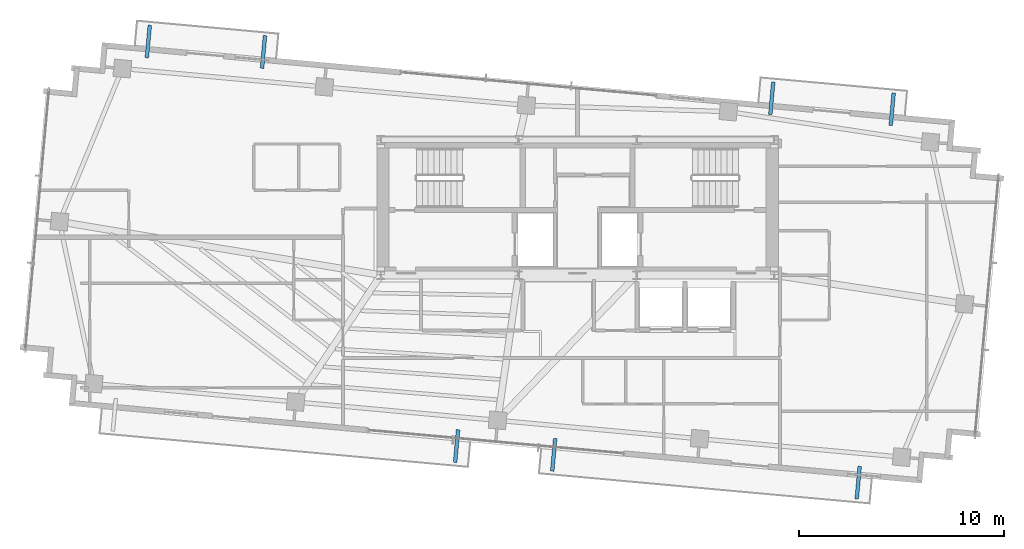
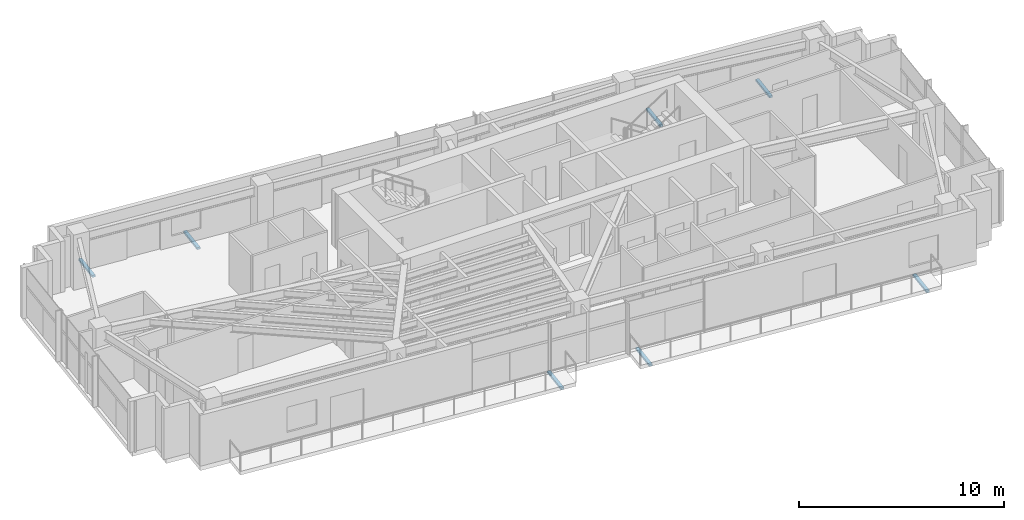
# One storey, part 19 of 22: 7 discrete accessories.
"""IFC4 building model written with IfcOpenShell, lengths in metres."""

from ifc_helpers import new_model, si_unit, direction, frame, origin, origin_2d, place, context, subcontext, project, spatial, rectangle, extrude, source, transform, mapped, material, type_object, type_shapes, element, save


model = new_model("IFC4")

# Units and contexts
model_context = context("Model", 3, precision=1e-05, world=origin(), true_north=direction((0.0, 1.0)))
body_context = subcontext(model_context, "Body", "Model", "MODEL_VIEW")
ifc_project = project(units=[si_unit("LENGTHUNIT", "METRE"), si_unit("AREAUNIT", "SQUARE_METRE"), si_unit("VOLUMEUNIT", "CUBIC_METRE"), si_unit("PLANEANGLEUNIT", "RADIAN"), si_unit("MASSUNIT", "GRAM", prefix="KILO")], contexts=[model_context])

# Site, building, storey
site_placement = place(None, origin())
site = spatial("IfcSite", under=ifc_project, at=site_placement, CompositionType="ELEMENT")
building_placement = place(site_placement, origin())
building = spatial("IfcBuilding", under=site, at=building_placement, Name="Astriad Promenade Condominiums", CompositionType="ELEMENT")
storey_placement = place(building_placement, frame((0.0, 0.0, 252.89990234375)))
storey = spatial("IfcBuildingStorey", under=building, at=storey_placement, Name="L73", CompositionType="ELEMENT", Elevation=252.89990234375)

# Discrete accessories
ifc_material = material(Name="Steel ASTM A572 Grade 50", Category="steel")
discrete_accessory_type = type_object("IfcDiscreteAccessoryType", Name="STEEL BALCONY OUTRIGGER BRACKET", PredefinedType="BRACKET", material=ifc_material)
shared_shape = source(origin(), body_context, "Body", "SweptSolid", [
    extrude(rectangle(XDim=1.60009765625, YDim=0.179931640625, at=origin_2d()), origin(), (0.0, 0.0, 1.0), 0.1220703125),
])
type_shapes(discrete_accessory_type, [shared_shape])
for number, where, z_axis, x_axis, name in (
    (1, (30.096435546875, 9.05810546875, -0.33984375), (0.0, 0.0, 1.0), (-0.090632580198, -0.995884398616, 0.0), "Balcony Outrigger Bracket BAL-L73-SW-B"),
    (2, (34.8359375, 8.626953125, -0.33984375), (0.0, 0.0, 1.0), (-0.090632580198, -0.995884398616, 0.0), "Balcony Outrigger Bracket BAL-L73-SE-A"),
    (3, (49.698486328125, 7.2744140625, -0.33984375), (0.0, 0.0, 1.0), (-0.090632580198, -0.995884398616, 0.0), "Balcony Outrigger Bracket BAL-L73-SE-B"),
    (4, (15.049072265625, 28.80322265625, -0.33984375), (0.0, 0.0, 1.0), (0.090632580198, 0.995884398616, 0.0), "Balcony Outrigger Bracket BAL-L73-NW-A"),
    (5, (20.6728515625, 28.29150390625, -0.33984375), (0.0, 0.0, 1.0), (0.090632580198, 0.995884398616, 0.0), "Balcony Outrigger Bracket BAL-L73-NW-B"),
    (6, (45.480224609375, 26.03369140625, -0.33984375), (0.0, 0.0, 1.0), (0.090632580198, 0.995884398616, 0.0), "Balcony Outrigger Bracket BAL-L73-NE-A"),
    (7, (51.35693359375, 25.4990234375, -0.33984375), (0.0, 0.0, 1.0), (0.090632580198, 0.995884398616, 0.0), "Balcony Outrigger Bracket BAL-L73-NE-B"),
):
    element("IfcDiscreteAccessory", number, at=place(storey_placement, frame(where, z_axis=z_axis, x_axis=x_axis)), inside=storey, type_object=discrete_accessory_type, Name=name, PredefinedType="BRACKET", context=body_context, shape_type="MappedRepresentation", body=[
        mapped(shared_shape, transform((0.0, 0.0, 0.0), scale=1.0)),
    ])

save(model, "model.ifc")
